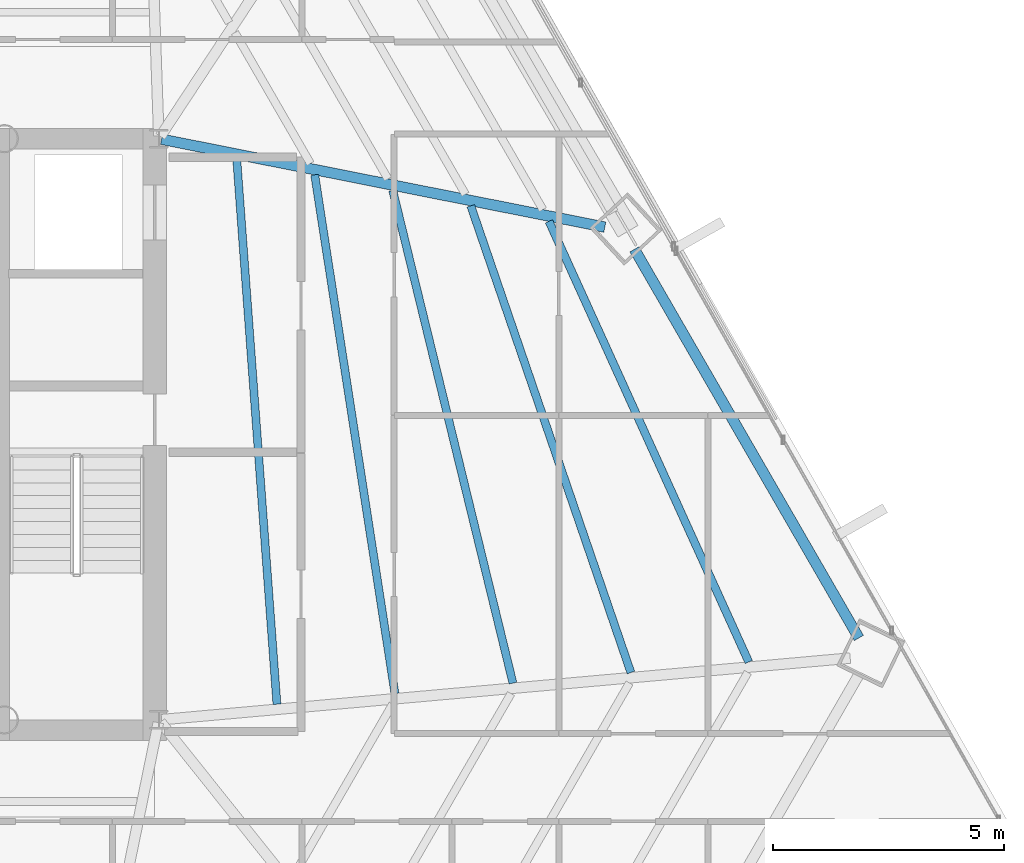
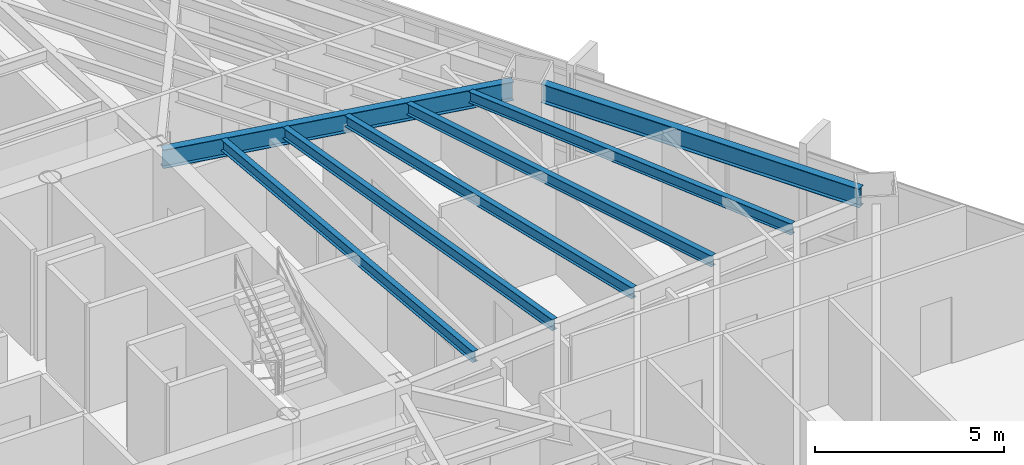
# One storey, part 19 of 35: 7 beams.
"""IFC4 building model written with IfcOpenShell, lengths in metres."""

from ifc_helpers import new_model, si_unit, direction, frame, origin, origin_2d, place, context, subcontext, project, spatial, i_section, extrude, source, transform, mapped, material, material_profile, profile_set, type_object, type_shapes, element, save


model = new_model("IFC4")

# Units and contexts
model_context = context("Model", 3, precision=1e-05, world=origin(), true_north=direction((0.0, 1.0)))
body_context = subcontext(model_context, "Body", "Model", "MODEL_VIEW")
ifc_project = project(units=[si_unit("LENGTHUNIT", "METRE"), si_unit("AREAUNIT", "SQUARE_METRE"), si_unit("VOLUMEUNIT", "CUBIC_METRE"), si_unit("PLANEANGLEUNIT", "RADIAN"), si_unit("MASSUNIT", "GRAM", prefix="KILO")], contexts=[model_context])

# Site, building, storey
site_placement = place(None, origin())
site = spatial("IfcSite", under=ifc_project, at=site_placement, CompositionType="ELEMENT")
building_placement = place(site_placement, origin())
building = spatial("IfcBuilding", under=site, at=building_placement, Name="Caelisora Broadcast Tower", CompositionType="ELEMENT")
storey_placement = place(building_placement, frame((0.0, 0.0, 123.64990234375)))
storey = spatial("IfcBuildingStorey", under=building, at=storey_placement, Name="L32", CompositionType="ELEMENT", Elevation=123.64990234375)

# Beams
ifc_material = material(Name="Steel Grade 350 (AS/NZS 3679.1)", Category="steel")
ifc_material_profile_1 = material_profile(ifc_material, i_section(OverallWidth=0.22900390625, OverallDepth=0.611572265625, WebThickness=0.011962890625, FlangeThickness=0.01953125, at=origin_2d()), Name="Steel Grade 350 (AS/NZS 3679.1)")
ifc_profile_set_1 = profile_set([ifc_material_profile_1], Name="Steel Grade 350 (AS/NZS 3679.1)")
beam_type_1 = type_object("IfcBeamType", Name="PG03", PredefinedType="BEAM", material=ifc_profile_set_1)
shared_shape_1 = source(origin(), body_context, "Body", "SweptSolid", [
    extrude(i_section(OverallWidth=0.22900390625, OverallDepth=0.611572265625, WebThickness=0.011962890625, FlangeThickness=0.01953125, at=origin_2d()), origin(), (0.0, 0.0, 1.0), 9.72998046875),
])
type_shapes(beam_type_1, [shared_shape_1])
beam_1_placement = place(storey_placement, frame((60.675048828125, 19.176025390625, 3.09423828125), z_axis=(-0.499995398093, 0.86602806068, 0.0), x_axis=(-0.86602806068, -0.499995398093, 0.0)))
element("IfcBeam", 1, at=beam_1_placement, inside=storey, type_object=beam_type_1, Name="L32 beam PG03", PredefinedType="BEAM", context=body_context, shape_type="MappedRepresentation", body=[
    mapped(shared_shape_1, transform((0.0, 0.0, 0.0), scale=1.0)),
])
ifc_material_profile_2 = material_profile(ifc_material, i_section(OverallWidth=0.22802734375, OverallDepth=0.602294921875, WebThickness=0.010498046875, FlangeThickness=0.014892578125, at=origin_2d()), Name="Steel Grade 350 (AS/NZS 3679.1)")
ifc_profile_set_2 = profile_set([ifc_material_profile_2], Name="Steel Grade 350 (AS/NZS 3679.1)")
beam_type_2 = type_object("IfcBeamType", Name="PG04", PredefinedType="BEAM", material=ifc_profile_set_2)
shared_shape_2 = source(origin(), body_context, "Body", "SweptSolid", [
    extrude(i_section(OverallWidth=0.22802734375, OverallDepth=0.602294921875, WebThickness=0.010498046875, FlangeThickness=0.014892578125, at=origin_2d()), origin(), (0.0, 0.0, 1.0), 9.796142578125),
])
type_shapes(beam_type_2, [shared_shape_2])
beam_2_placement = place(storey_placement, frame((45.558837890625, 29.98828125, 3.098876953125), z_axis=(0.980899519174, -0.194515123534, 0.0), x_axis=(0.194515123534, 0.980899519174, 0.0)))
element("IfcBeam", 2, at=beam_2_placement, inside=storey, type_object=beam_type_2, Name="L32 beam PG04", PredefinedType="BEAM", context=body_context, shape_type="MappedRepresentation", body=[
    mapped(shared_shape_2, transform((0.0, 0.0, 0.0), scale=1.0)),
])
ifc_material_profile_3 = material_profile(ifc_material, i_section(OverallWidth=0.172119140625, OverallDepth=0.358642578125, WebThickness=0.008056640625, FlangeThickness=0.012939453125, at=origin_2d()), Name="Steel Grade 350 (AS/NZS 3679.1)")
ifc_profile_set_3 = profile_set([ifc_material_profile_3], Name="Steel Grade 350 (AS/NZS 3679.1)")
beam_type_3 = type_object("IfcBeamType", Name="SB02", PredefinedType="JOIST", material=ifc_profile_set_3)
shared_shape_3 = source(origin(), body_context, "Body", "SweptSolid", [
    extrude(i_section(OverallWidth=0.172119140625, OverallDepth=0.358642578125, WebThickness=0.008056640625, FlangeThickness=0.012939453125, at=origin_2d()), origin(), (0.0, 0.0, 1.0), 11.843505859375),
])
beam_3_placement = place(storey_placement, frame((48.059326171875, 17.740234375, 3.220703125), z_axis=(-0.07352923424, 0.9972930621, 0.0), x_axis=(-0.9972930621, -0.07352923424, 0.0)))
element("IfcBeam", 3, at=beam_3_placement, inside=storey, type_object=beam_type_3, Name="L32 beam SB02", PredefinedType="JOIST", context=body_context, shape_type="MappedRepresentation", body=[
    mapped(shared_shape_3, transform((0.0, 0.0, 0.0), scale=1.0)),
])
shared_shape_4 = source(origin(), body_context, "Body", "SweptSolid", [
    extrude(i_section(OverallWidth=0.172119140625, OverallDepth=0.358642578125, WebThickness=0.008056640625, FlangeThickness=0.012939453125, at=origin_2d()), origin(), (0.0, 0.0, 1.0), 11.381591796875),
])
beam_4_placement = place(storey_placement, frame((50.617919921875, 17.968994140625, 3.220703125), z_axis=(-0.152856632532, 0.988248374596, 0.0), x_axis=(-0.988248374596, -0.152856632532, 0.0)))
element("IfcBeam", 4, at=beam_4_placement, inside=storey, type_object=beam_type_3, Name="L32 beam SB02", PredefinedType="JOIST", context=body_context, shape_type="MappedRepresentation", body=[
    mapped(shared_shape_4, transform((0.0, 0.0, 0.0), scale=1.0)),
])
shared_shape_5 = source(origin(), body_context, "Body", "SweptSolid", [
    extrude(i_section(OverallWidth=0.172119140625, OverallDepth=0.358642578125, WebThickness=0.008056640625, FlangeThickness=0.012939453125, at=origin_2d()), origin(), (0.0, 0.0, 1.0), 10.996826171875),
])
beam_5_placement = place(storey_placement, frame((53.17578125, 18.197998046875, 3.220703125), z_axis=(-0.237041530865, 0.971499517573, 0.0), x_axis=(-0.971499517573, -0.237041530865, 0.0)))
element("IfcBeam", 5, at=beam_5_placement, inside=storey, type_object=beam_type_3, Name="L32 beam SB02", PredefinedType="JOIST", context=body_context, shape_type="MappedRepresentation", body=[
    mapped(shared_shape_5, transform((0.0, 0.0, 0.0), scale=1.0)),
])
shared_shape_6 = source(origin(), body_context, "Body", "SweptSolid", [
    extrude(i_section(OverallWidth=0.172119140625, OverallDepth=0.358642578125, WebThickness=0.008056640625, FlangeThickness=0.012939453125, at=origin_2d()), origin(), (0.0, 0.0, 1.0), 10.697509765625),
])
beam_6_placement = place(storey_placement, frame((55.73291015625, 18.4267578125, 3.220703125), z_axis=(-0.324486525793, 0.945890318472, 0.0), x_axis=(-0.945890318472, -0.324486525793, 0.0)))
element("IfcBeam", 6, at=beam_6_placement, inside=storey, type_object=beam_type_3, Name="L32 beam SB02", PredefinedType="JOIST", context=body_context, shape_type="MappedRepresentation", body=[
    mapped(shared_shape_6, transform((0.0, 0.0, 0.0), scale=1.0)),
])
shared_shape_7 = source(origin(), body_context, "Body", "SweptSolid", [
    extrude(i_section(OverallWidth=0.172119140625, OverallDepth=0.358642578125, WebThickness=0.008056640625, FlangeThickness=0.012939453125, at=origin_2d()), origin(), (0.0, 0.0, 1.0), 10.489990234375),
])
type_shapes(beam_type_3, [shared_shape_3, shared_shape_4, shared_shape_5, shared_shape_6, shared_shape_7])
beam_7_placement = place(storey_placement, frame((58.288818359375, 18.655517578125, 3.220703125), z_axis=(-0.412968106219, 0.910745487634, 0.0), x_axis=(-0.910745487634, -0.412968106219, 0.0)))
element("IfcBeam", 7, at=beam_7_placement, inside=storey, type_object=beam_type_3, Name="L32 beam SB02", PredefinedType="JOIST", context=body_context, shape_type="MappedRepresentation", body=[
    mapped(shared_shape_7, transform((0.0, 0.0, 0.0), scale=1.0)),
])

save(model, "model.ifc")
